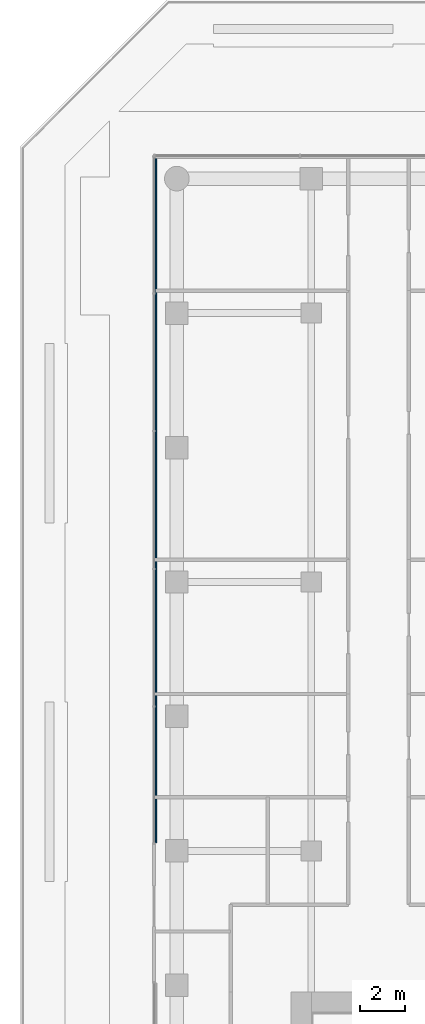
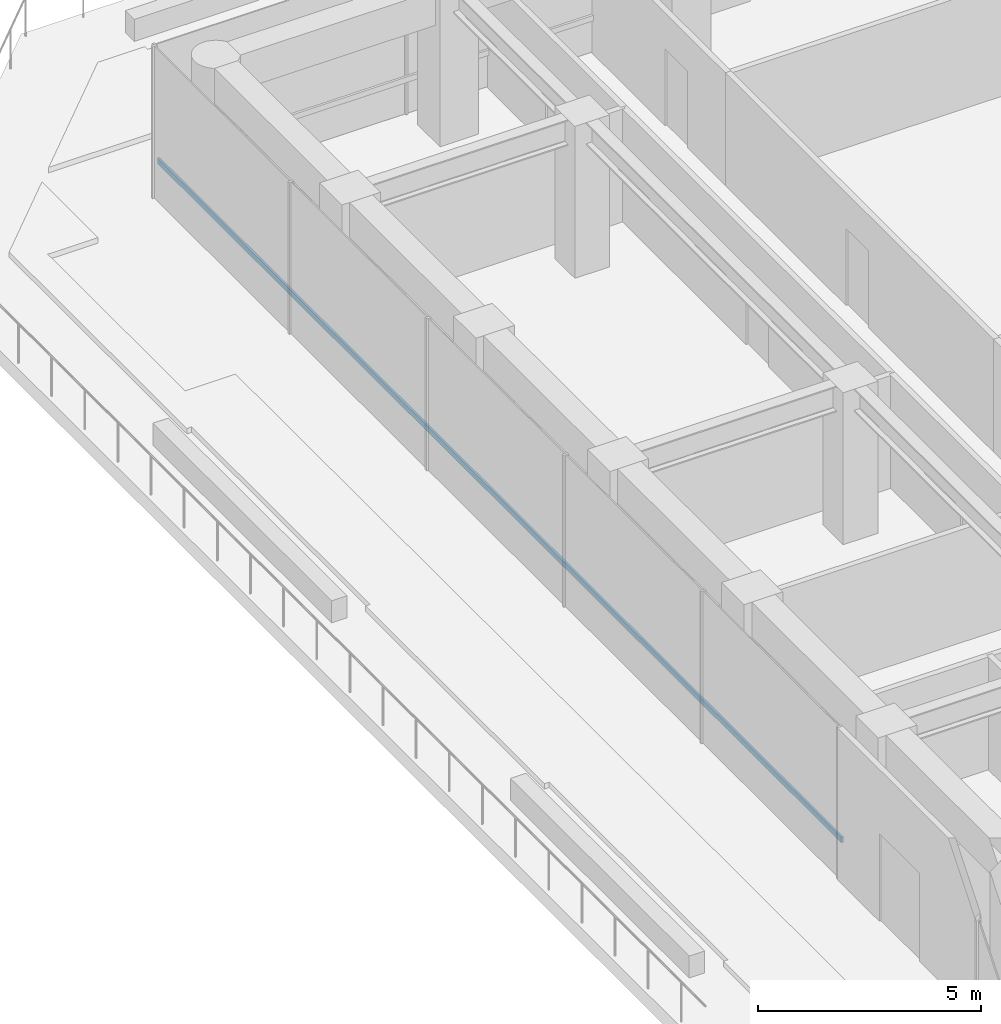
# One storey, part 14 of 31: 1 member, 1 element without a shape of its own.
"""IFC4 building model written with IfcOpenShell, lengths in metres."""

from ifc_helpers import new_model, si_unit, direction, frame, origin, origin_2d, place, context, subcontext, project, spatial, rectangle, extrude, material, layer, layer_set, material_profile, profile_set, type_object, element, aggregate, save


model = new_model("IFC4")

# Units and contexts
model_context = context("Model", 3, precision=1e-05, world=origin(), true_north=direction((0.0, 1.0)))
body_context = subcontext(model_context, "Body", "Model", "MODEL_VIEW")
ifc_project = project(units=[si_unit("LENGTHUNIT", "METRE"), si_unit("AREAUNIT", "SQUARE_METRE"), si_unit("VOLUMEUNIT", "CUBIC_METRE"), si_unit("PLANEANGLEUNIT", "RADIAN"), si_unit("MASSUNIT", "GRAM", prefix="KILO")], contexts=[model_context])

# Site, building, storey
site_placement = place(None, origin())
site = spatial("IfcSite", under=ifc_project, at=site_placement, CompositionType="ELEMENT")
building_placement = place(site_placement, origin())
building = spatial("IfcBuilding", under=site, at=building_placement, Name="Welwitschia Terrace Campus", CompositionType="ELEMENT")
storey_placement = place(building_placement, frame((0.0, 0.0, 11.0)))
storey = spatial("IfcBuildingStorey", under=building, at=storey_placement, Name="L02", CompositionType="ELEMENT", Elevation=11.0)

# Curtain wall, member
ifc_material_1 = material(Name="Bronze anodised aluminium", Category="aluminium")
ifc_layer = layer(ifc_material_1, 0.1201171875)
ifc_layer_set = layer_set([ifc_layer], Name="Bronze anodised aluminium")
curtain_wall_type = type_object("IfcCurtainWallType", Name="Curtain wall CW2 tower 6000", PredefinedType="NOTDEFINED", material=ifc_layer_set)
curtain_wall_placement = place(storey_placement, origin())
curtain_wall = element("IfcCurtainWall", 1, at=curtain_wall_placement, inside=storey, type_object=curtain_wall_type, Name="CW L02.9.0", PredefinedType="NOTDEFINED")
ifc_material_2 = material(Name="Bronze anodised aluminium", Category="aluminium")
ifc_material_profile = material_profile(ifc_material_2, rectangle(XDim=0.06005859375, YDim=0.14990234375, at=origin_2d()))
ifc_profile_set = profile_set([ifc_material_profile], Name="Bronze anodised aluminium")
member_type = type_object("IfcMemberType", Name="Transom 60x150", PredefinedType="USERDEFINED", material=ifc_profile_set)
member_placement = place(storey_placement, frame((-0.929931640625, 62.9599609375, 1.0), z_axis=(0.0, -1.0, 0.0), x_axis=(1.0, 0.0, 0.0)))
member = element("IfcMember", 2, at=member_placement, type_object=member_type, Name="Transom L02.9.0", ObjectType="TRANSOM", PredefinedType="USERDEFINED", context=body_context, shape_type="SweptSolid", body=[
    extrude(rectangle(XDim=0.06005859375, YDim=0.14990234375, at=origin_2d()), origin(), (0.0, 0.0, 1.0), 30.601318359375),
])
aggregate(curtain_wall, [member])

save(model, "model.ifc")
